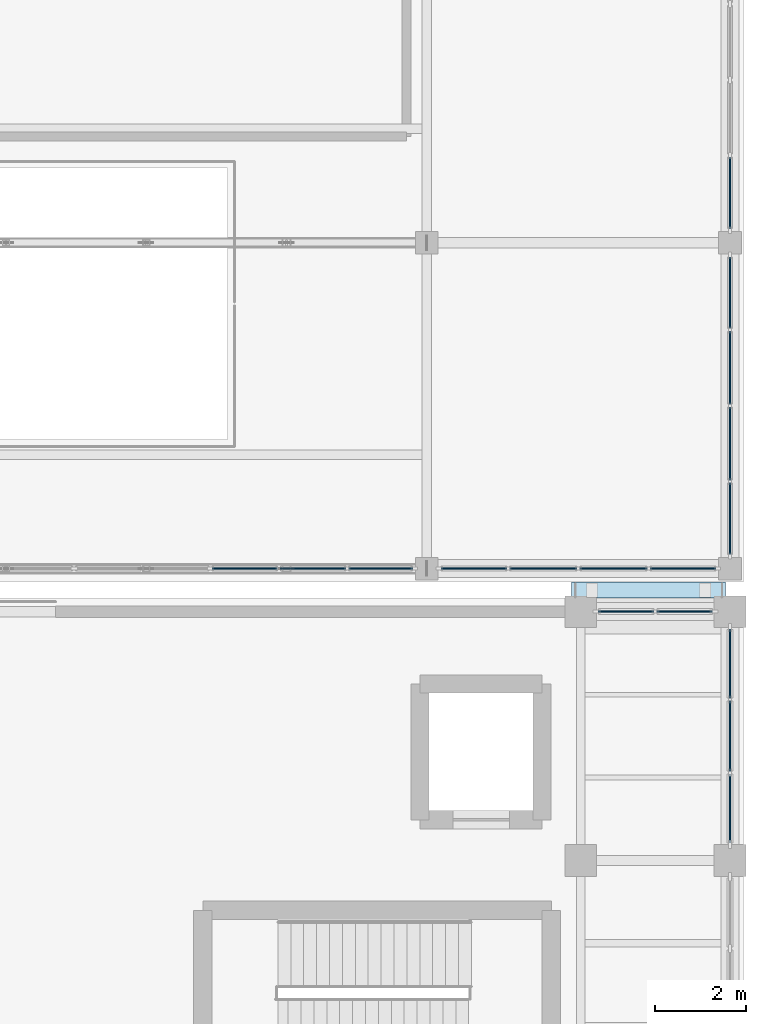
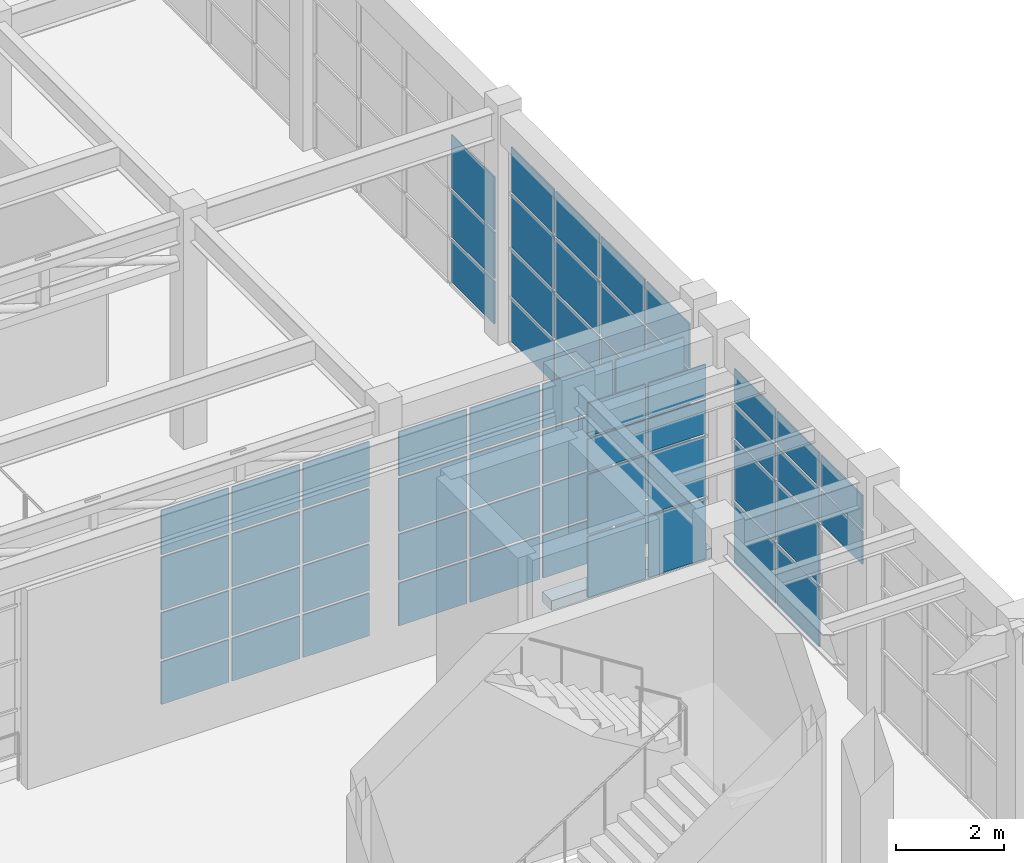
# One storey, part 79 of 103: 65 plates, 1 slab, 6 elements without a shape of their own.
"""IFC4 building model written with IfcOpenShell, lengths in metres."""

from ifc_helpers import new_model, si_unit, direction, frame, origin, origin_2d, place, context, subcontext, project, spatial, polyline, rectangle, outline, extrude, material, layer, layer_set, type_object, element, aggregate, save


model = new_model("IFC4")

# Units and contexts
model_context = context("Model", 3, precision=1e-05, world=origin(), true_north=direction((0.0, 1.0)))
body_context = subcontext(model_context, "Body", "Model", "MODEL_VIEW")
ifc_project = project(units=[si_unit("LENGTHUNIT", "METRE"), si_unit("AREAUNIT", "SQUARE_METRE"), si_unit("VOLUMEUNIT", "CUBIC_METRE"), si_unit("PLANEANGLEUNIT", "RADIAN"), si_unit("MASSUNIT", "GRAM", prefix="KILO")], contexts=[model_context])

# Site, building, storey
site_placement = place(None, origin())
site = spatial("IfcSite", under=ifc_project, at=site_placement, CompositionType="ELEMENT")
building_placement = place(site_placement, origin())
building = spatial("IfcBuilding", under=site, at=building_placement, Name="Candilejo Ridge Gondola Terminal", CompositionType="ELEMENT")
storey_placement = place(building_placement, frame((0.0, 0.0, 9.0)))
storey = spatial("IfcBuildingStorey", under=building, at=storey_placement, Name="L02", CompositionType="ELEMENT", Elevation=9.0)

# Curtain wall, plates
ifc_material_1 = material(Name="Anodised aluminium AA 6063-T6", Category="aluminium")
ifc_layer_1 = layer(ifc_material_1, 0.169921875)
ifc_layer_set_1 = layer_set([ifc_layer_1], Name="ARC-CW-HALL-3800-485X449")
curtain_wall_type_1 = type_object("IfcCurtainWallType", Name="ARC-CW-HALL-3800-485X449", PredefinedType="NOTDEFINED", material=ifc_layer_set_1)
curtain_wall_1_placement = place(storey_placement, origin())
curtain_wall_1 = element("IfcCurtainWall", 1, at=curtain_wall_1_placement, inside=storey, type_object=curtain_wall_type_1, Name="Curtain wall V4 L02-143", PredefinedType="NOTDEFINED")
ifc_material_2 = material(Name="Low-E laminated double glazing 6+12A+6+1.52PVB+6 mm", Category="glass")
ifc_layer_2 = layer(ifc_material_2, 0.028076171875)
ifc_layer_set_2 = layer_set([ifc_layer_2], Name="ARC-CW-GLAZ-PANEL")
plate_type = type_object("IfcPlateType", Name="ARC-CW-GLAZ-PANEL", PredefinedType="CURTAIN_PANEL", material=ifc_layer_set_2)
plate_1_placement = place(storey_placement, frame((175.300048828125, 43.349609375, 2.8798828125), z_axis=(0.0, 0.0, 1.0), x_axis=(0.0, 1.0, 0.0)))
plate_1 = element("IfcPlate", 2, at=plate_1_placement, type_object=plate_type, Name="CW-48X44 panel 1.3", PredefinedType="CURTAIN_PANEL", context=body_context, shape_type="SweptSolid", body=[
    extrude(rectangle(XDim=1.519287109375, YDim=0.028076171875, at=origin_2d()), origin(), (0.0, 0.0, 1.0), 0.739990234375),
])
plate_2_placement = place(storey_placement, frame((175.300048828125, 43.349609375, 3.679931640625), z_axis=(0.0, 0.0, 1.0), x_axis=(0.0, 1.0, 0.0)))
plate_2 = element("IfcPlate", 3, at=plate_2_placement, type_object=plate_type, Name="CW-48X44 panel 1.4", PredefinedType="CURTAIN_PANEL", context=body_context, shape_type="SweptSolid", body=[
    extrude(rectangle(XDim=1.519287109375, YDim=0.028076171875, at=origin_2d()), origin(), (0.0, 0.0, 1.0), 0.75),
])
plate_3_placement = place(storey_placement, frame((175.300048828125, 44.949951171875, 0.06005859375), z_axis=(0.0, 0.0, 1.0), x_axis=(0.0, 1.0, 0.0)))
plate_3 = element("IfcPlate", 4, at=plate_3_placement, type_object=plate_type, Name="CW-48X44 panel 2.1", PredefinedType="CURTAIN_PANEL", context=body_context, shape_type="SweptSolid", body=[
    extrude(rectangle(XDim=1.5517578125, YDim=0.028076171875, at=origin_2d()), origin(), (0.0, 0.0, 1.0), 1.360107421875),
])
plate_4_placement = place(storey_placement, frame((175.300048828125, 44.949951171875, 1.47998046875), z_axis=(0.0, 0.0, 1.0), x_axis=(0.0, 1.0, 0.0)))
plate_4 = element("IfcPlate", 5, at=plate_4_placement, type_object=plate_type, Name="CW-48X44 panel 2.2", PredefinedType="CURTAIN_PANEL", context=body_context, shape_type="SweptSolid", body=[
    extrude(rectangle(XDim=1.5517578125, YDim=0.028076171875, at=origin_2d()), origin(), (0.0, 0.0, 1.0), 1.340087890625),
])
plate_5_placement = place(storey_placement, frame((175.300048828125, 44.949951171875, 2.8798828125), z_axis=(0.0, 0.0, 1.0), x_axis=(0.0, 1.0, 0.0)))
plate_5 = element("IfcPlate", 6, at=plate_5_placement, type_object=plate_type, Name="CW-48X44 panel 2.3", PredefinedType="CURTAIN_PANEL", context=body_context, shape_type="SweptSolid", body=[
    extrude(rectangle(XDim=1.5517578125, YDim=0.028076171875, at=origin_2d()), origin(), (0.0, 0.0, 1.0), 0.739990234375),
])
plate_6_placement = place(storey_placement, frame((175.300048828125, 44.949951171875, 3.679931640625), z_axis=(0.0, 0.0, 1.0), x_axis=(0.0, 1.0, 0.0)))
plate_6 = element("IfcPlate", 7, at=plate_6_placement, type_object=plate_type, Name="CW-48X44 panel 2.4", PredefinedType="CURTAIN_PANEL", context=body_context, shape_type="SweptSolid", body=[
    extrude(rectangle(XDim=1.5517578125, YDim=0.028076171875, at=origin_2d()), origin(), (0.0, 0.0, 1.0), 0.75),
])
plate_7_placement = place(storey_placement, frame((175.300048828125, 46.550537109375, 0.06005859375), z_axis=(0.0, 0.0, 1.0), x_axis=(0.0, 1.0, 0.0)))
plate_7 = element("IfcPlate", 8, at=plate_7_placement, type_object=plate_type, Name="CW-48X44 panel 3.1", PredefinedType="CURTAIN_PANEL", context=body_context, shape_type="SweptSolid", body=[
    extrude(rectangle(XDim=1.519287109375, YDim=0.028076171875, at=origin_2d()), origin(), (0.0, 0.0, 1.0), 1.360107421875),
])
plate_8_placement = place(storey_placement, frame((175.300048828125, 46.550537109375, 1.47998046875), z_axis=(0.0, 0.0, 1.0), x_axis=(0.0, 1.0, 0.0)))
plate_8 = element("IfcPlate", 9, at=plate_8_placement, type_object=plate_type, Name="CW-48X44 panel 3.2", PredefinedType="CURTAIN_PANEL", context=body_context, shape_type="SweptSolid", body=[
    extrude(rectangle(XDim=1.519287109375, YDim=0.028076171875, at=origin_2d()), origin(), (0.0, 0.0, 1.0), 1.340087890625),
])
plate_9_placement = place(storey_placement, frame((175.300048828125, 46.550537109375, 2.8798828125), z_axis=(0.0, 0.0, 1.0), x_axis=(0.0, 1.0, 0.0)))
plate_9 = element("IfcPlate", 10, at=plate_9_placement, type_object=plate_type, Name="CW-48X44 panel 3.3", PredefinedType="CURTAIN_PANEL", context=body_context, shape_type="SweptSolid", body=[
    extrude(rectangle(XDim=1.519287109375, YDim=0.028076171875, at=origin_2d()), origin(), (0.0, 0.0, 1.0), 0.739990234375),
])
plate_10_placement = place(storey_placement, frame((175.300048828125, 46.550537109375, 3.679931640625), z_axis=(0.0, 0.0, 1.0), x_axis=(0.0, 1.0, 0.0)))
plate_10 = element("IfcPlate", 11, at=plate_10_placement, type_object=plate_type, Name="CW-48X44 panel 3.4", PredefinedType="CURTAIN_PANEL", context=body_context, shape_type="SweptSolid", body=[
    extrude(rectangle(XDim=1.519287109375, YDim=0.028076171875, at=origin_2d()), origin(), (0.0, 0.0, 1.0), 0.75),
])
aggregate(curtain_wall_1, [plate_1, plate_2, plate_3, plate_4, plate_5, plate_6, plate_7, plate_8, plate_9, plate_10])

ifc_material_3 = material(Name="Anodised aluminium AA 6063-T6", Category="aluminium")
ifc_layer_3 = layer(ifc_material_3, 0.169921875)
ifc_layer_set_3 = layer_set([ifc_layer_3], Name="ARC-CW-HALL-3800-265X449")
curtain_wall_type_2 = type_object("IfcCurtainWallType", Name="ARC-CW-HALL-3800-265X449", PredefinedType="NOTDEFINED", material=ifc_layer_set_3)
curtain_wall_2_placement = place(storey_placement, origin())
curtain_wall_2 = element("IfcCurtainWall", 12, at=curtain_wall_2_placement, inside=storey, type_object=curtain_wall_type_2, Name="Curtain wall V4 L02-150", PredefinedType="NOTDEFINED")
plate_11_placement = place(storey_placement, frame((173.003662109375, 47.699951171875, 0.06005859375), z_axis=(0.0, 0.0, 1.0), x_axis=(1.0, 0.0, 0.0)))
plate_11 = element("IfcPlate", 13, at=plate_11_placement, type_object=plate_type, Name="CW-26X44 panel 1.1", PredefinedType="CURTAIN_PANEL", context=body_context, shape_type="SweptSolid", body=[
    extrude(rectangle(XDim=1.2275390625, YDim=0.028076171875, at=origin_2d()), origin(), (0.0, 0.0, 1.0), 1.360107421875),
])
plate_12_placement = place(storey_placement, frame((173.003662109375, 47.699951171875, 1.47998046875), z_axis=(0.0, 0.0, 1.0), x_axis=(1.0, 0.0, 0.0)))
plate_12 = element("IfcPlate", 14, at=plate_12_placement, type_object=plate_type, Name="CW-26X44 panel 1.2", PredefinedType="CURTAIN_PANEL", context=body_context, shape_type="SweptSolid", body=[
    extrude(rectangle(XDim=1.2275390625, YDim=0.028076171875, at=origin_2d()), origin(), (0.0, 0.0, 1.0), 1.340087890625),
])
plate_13_placement = place(storey_placement, frame((173.003662109375, 47.699951171875, 2.8798828125), z_axis=(0.0, 0.0, 1.0), x_axis=(1.0, 0.0, 0.0)))
plate_13 = element("IfcPlate", 15, at=plate_13_placement, type_object=plate_type, Name="CW-26X44 panel 1.3", PredefinedType="CURTAIN_PANEL", context=body_context, shape_type="SweptSolid", body=[
    extrude(rectangle(XDim=1.2275390625, YDim=0.028076171875, at=origin_2d()), origin(), (0.0, 0.0, 1.0), 0.739990234375),
])
plate_14_placement = place(storey_placement, frame((173.003662109375, 47.699951171875, 3.679931640625), z_axis=(0.0, 0.0, 1.0), x_axis=(1.0, 0.0, 0.0)))
plate_14 = element("IfcPlate", 16, at=plate_14_placement, type_object=plate_type, Name="CW-26X44 panel 1.4", PredefinedType="CURTAIN_PANEL", context=body_context, shape_type="SweptSolid", body=[
    extrude(rectangle(XDim=1.2275390625, YDim=0.028076171875, at=origin_2d()), origin(), (0.0, 0.0, 1.0), 0.75),
])
plate_15_placement = place(storey_placement, frame((174.296142578125, 47.699951171875, 0.06005859375), z_axis=(0.0, 0.0, 1.0), x_axis=(1.0, 0.0, 0.0)))
plate_15 = element("IfcPlate", 17, at=plate_15_placement, type_object=plate_type, Name="CW-26X44 panel 2.1", PredefinedType="CURTAIN_PANEL", context=body_context, shape_type="SweptSolid", body=[
    extrude(rectangle(XDim=1.2275390625, YDim=0.028076171875, at=origin_2d()), origin(), (0.0, 0.0, 1.0), 1.360107421875),
])
plate_16_placement = place(storey_placement, frame((174.296142578125, 47.699951171875, 1.47998046875), z_axis=(0.0, 0.0, 1.0), x_axis=(1.0, 0.0, 0.0)))
plate_16 = element("IfcPlate", 18, at=plate_16_placement, type_object=plate_type, Name="CW-26X44 panel 2.2", PredefinedType="CURTAIN_PANEL", context=body_context, shape_type="SweptSolid", body=[
    extrude(rectangle(XDim=1.2275390625, YDim=0.028076171875, at=origin_2d()), origin(), (0.0, 0.0, 1.0), 1.340087890625),
])
plate_17_placement = place(storey_placement, frame((174.296142578125, 47.699951171875, 2.8798828125), z_axis=(0.0, 0.0, 1.0), x_axis=(1.0, 0.0, 0.0)))
plate_17 = element("IfcPlate", 19, at=plate_17_placement, type_object=plate_type, Name="CW-26X44 panel 2.3", PredefinedType="CURTAIN_PANEL", context=body_context, shape_type="SweptSolid", body=[
    extrude(rectangle(XDim=1.2275390625, YDim=0.028076171875, at=origin_2d()), origin(), (0.0, 0.0, 1.0), 0.739990234375),
])
plate_18_placement = place(storey_placement, frame((174.296142578125, 47.699951171875, 3.679931640625), z_axis=(0.0, 0.0, 1.0), x_axis=(1.0, 0.0, 0.0)))
plate_18 = element("IfcPlate", 20, at=plate_18_placement, type_object=plate_type, Name="CW-26X44 panel 2.4", PredefinedType="CURTAIN_PANEL", context=body_context, shape_type="SweptSolid", body=[
    extrude(rectangle(XDim=1.2275390625, YDim=0.028076171875, at=origin_2d()), origin(), (0.0, 0.0, 1.0), 0.75),
])
aggregate(curtain_wall_2, [plate_11, plate_12, plate_13, plate_14, plate_15, plate_16, plate_17, plate_18])

ifc_material_4 = material(Name="Anodised aluminium AA 6063-T6", Category="aluminium")
ifc_layer_4 = layer(ifc_material_4, 0.169921875)
ifc_layer_set_4 = layer_set([ifc_layer_4], Name="ARC-CW-TOWER-3000-670X449")
curtain_wall_type_3 = type_object("IfcCurtainWallType", Name="ARC-CW-TOWER-3000-670X449", PredefinedType="NOTDEFINED", material=ifc_layer_set_4)
curtain_wall_3_placement = place(storey_placement, origin())
curtain_wall_3 = element("IfcCurtainWall", 21, at=curtain_wall_3_placement, inside=storey, type_object=curtain_wall_type_3, Name="Curtain wall V5 L02-175", PredefinedType="NOTDEFINED")
plate_19_placement = place(storey_placement, frame((175.300048828125, 49.753662109375, 0.06005859375), z_axis=(0.0, 0.0, 1.0), x_axis=(0.0, 1.0, 0.0)))
plate_19 = element("IfcPlate", 22, at=plate_19_placement, type_object=plate_type, Name="CW-67X44 panel 1.1", PredefinedType="CURTAIN_PANEL", context=body_context, shape_type="SweptSolid", body=[
    extrude(rectangle(XDim=1.577392578125, YDim=0.028076171875, at=origin_2d()), origin(), (0.0, 0.0, 1.0), 0.9599609375),
])
plate_20_placement = place(storey_placement, frame((175.300048828125, 49.753662109375, 1.080078125), z_axis=(0.0, 0.0, 1.0), x_axis=(0.0, 1.0, 0.0)))
plate_20 = element("IfcPlate", 23, at=plate_20_placement, type_object=plate_type, Name="CW-67X44 panel 1.2", PredefinedType="CURTAIN_PANEL", context=body_context, shape_type="SweptSolid", body=[
    extrude(rectangle(XDim=1.577392578125, YDim=0.028076171875, at=origin_2d()), origin(), (0.0, 0.0, 1.0), 1.0400390625),
])
plate_21_placement = place(storey_placement, frame((175.300048828125, 49.753662109375, 2.179931640625), z_axis=(0.0, 0.0, 1.0), x_axis=(0.0, 1.0, 0.0)))
plate_21 = element("IfcPlate", 24, at=plate_21_placement, type_object=plate_type, Name="CW-67X44 panel 1.3", PredefinedType="CURTAIN_PANEL", context=body_context, shape_type="SweptSolid", body=[
    extrude(rectangle(XDim=1.577392578125, YDim=0.028076171875, at=origin_2d()), origin(), (0.0, 0.0, 1.0), 1.18994140625),
])
plate_22_placement = place(storey_placement, frame((175.300048828125, 49.753662109375, 3.429931640625), z_axis=(0.0, 0.0, 1.0), x_axis=(0.0, 1.0, 0.0)))
plate_22 = element("IfcPlate", 25, at=plate_22_placement, type_object=plate_type, Name="CW-67X44 panel 1.4", PredefinedType="CURTAIN_PANEL", context=body_context, shape_type="SweptSolid", body=[
    extrude(rectangle(XDim=1.577392578125, YDim=0.028076171875, at=origin_2d()), origin(), (0.0, 0.0, 1.0), 1.0),
])
plate_23_placement = place(storey_placement, frame((175.300048828125, 51.41259765625, 0.06005859375), z_axis=(0.0, 0.0, 1.0), x_axis=(0.0, 1.0, 0.0)))
plate_23 = element("IfcPlate", 26, at=plate_23_placement, type_object=plate_type, Name="CW-67X44 panel 2.1", PredefinedType="CURTAIN_PANEL", context=body_context, shape_type="SweptSolid", body=[
    extrude(rectangle(XDim=1.610107421875, YDim=0.028076171875, at=origin_2d()), origin(), (0.0, 0.0, 1.0), 0.9599609375),
])
plate_24_placement = place(storey_placement, frame((175.300048828125, 51.41259765625, 1.080078125), z_axis=(0.0, 0.0, 1.0), x_axis=(0.0, 1.0, 0.0)))
plate_24 = element("IfcPlate", 27, at=plate_24_placement, type_object=plate_type, Name="CW-67X44 panel 2.2", PredefinedType="CURTAIN_PANEL", context=body_context, shape_type="SweptSolid", body=[
    extrude(rectangle(XDim=1.610107421875, YDim=0.028076171875, at=origin_2d()), origin(), (0.0, 0.0, 1.0), 1.0400390625),
])
plate_25_placement = place(storey_placement, frame((175.300048828125, 51.41259765625, 2.179931640625), z_axis=(0.0, 0.0, 1.0), x_axis=(0.0, 1.0, 0.0)))
plate_25 = element("IfcPlate", 28, at=plate_25_placement, type_object=plate_type, Name="CW-67X44 panel 2.3", PredefinedType="CURTAIN_PANEL", context=body_context, shape_type="SweptSolid", body=[
    extrude(rectangle(XDim=1.610107421875, YDim=0.028076171875, at=origin_2d()), origin(), (0.0, 0.0, 1.0), 1.18994140625),
])
plate_26_placement = place(storey_placement, frame((175.300048828125, 51.41259765625, 3.429931640625), z_axis=(0.0, 0.0, 1.0), x_axis=(0.0, 1.0, 0.0)))
plate_26 = element("IfcPlate", 29, at=plate_26_placement, type_object=plate_type, Name="CW-67X44 panel 2.4", PredefinedType="CURTAIN_PANEL", context=body_context, shape_type="SweptSolid", body=[
    extrude(rectangle(XDim=1.610107421875, YDim=0.028076171875, at=origin_2d()), origin(), (0.0, 0.0, 1.0), 1.0),
])
plate_27_placement = place(storey_placement, frame((175.300048828125, 53.08740234375, 0.06005859375), z_axis=(0.0, 0.0, 1.0), x_axis=(0.0, 1.0, 0.0)))
plate_27 = element("IfcPlate", 30, at=plate_27_placement, type_object=plate_type, Name="CW-67X44 panel 3.1", PredefinedType="CURTAIN_PANEL", context=body_context, shape_type="SweptSolid", body=[
    extrude(rectangle(XDim=1.610107421875, YDim=0.028076171875, at=origin_2d()), origin(), (0.0, 0.0, 1.0), 0.9599609375),
])
plate_28_placement = place(storey_placement, frame((175.300048828125, 53.08740234375, 1.080078125), z_axis=(0.0, 0.0, 1.0), x_axis=(0.0, 1.0, 0.0)))
plate_28 = element("IfcPlate", 31, at=plate_28_placement, type_object=plate_type, Name="CW-67X44 panel 3.2", PredefinedType="CURTAIN_PANEL", context=body_context, shape_type="SweptSolid", body=[
    extrude(rectangle(XDim=1.610107421875, YDim=0.028076171875, at=origin_2d()), origin(), (0.0, 0.0, 1.0), 1.0400390625),
])
plate_29_placement = place(storey_placement, frame((175.300048828125, 53.08740234375, 2.179931640625), z_axis=(0.0, 0.0, 1.0), x_axis=(0.0, 1.0, 0.0)))
plate_29 = element("IfcPlate", 32, at=plate_29_placement, type_object=plate_type, Name="CW-67X44 panel 3.3", PredefinedType="CURTAIN_PANEL", context=body_context, shape_type="SweptSolid", body=[
    extrude(rectangle(XDim=1.610107421875, YDim=0.028076171875, at=origin_2d()), origin(), (0.0, 0.0, 1.0), 1.18994140625),
])
plate_30_placement = place(storey_placement, frame((175.300048828125, 53.08740234375, 3.429931640625), z_axis=(0.0, 0.0, 1.0), x_axis=(0.0, 1.0, 0.0)))
plate_30 = element("IfcPlate", 33, at=plate_30_placement, type_object=plate_type, Name="CW-67X44 panel 3.4", PredefinedType="CURTAIN_PANEL", context=body_context, shape_type="SweptSolid", body=[
    extrude(rectangle(XDim=1.610107421875, YDim=0.028076171875, at=origin_2d()), origin(), (0.0, 0.0, 1.0), 1.0),
])
plate_31_placement = place(storey_placement, frame((175.300048828125, 54.746337890625, 0.06005859375), z_axis=(0.0, 0.0, 1.0), x_axis=(0.0, 1.0, 0.0)))
plate_31 = element("IfcPlate", 34, at=plate_31_placement, type_object=plate_type, Name="CW-67X44 panel 4.1", PredefinedType="CURTAIN_PANEL", context=body_context, shape_type="SweptSolid", body=[
    extrude(rectangle(XDim=1.577392578125, YDim=0.028076171875, at=origin_2d()), origin(), (0.0, 0.0, 1.0), 0.9599609375),
])
plate_32_placement = place(storey_placement, frame((175.300048828125, 54.746337890625, 1.080078125), z_axis=(0.0, 0.0, 1.0), x_axis=(0.0, 1.0, 0.0)))
plate_32 = element("IfcPlate", 35, at=plate_32_placement, type_object=plate_type, Name="CW-67X44 panel 4.2", PredefinedType="CURTAIN_PANEL", context=body_context, shape_type="SweptSolid", body=[
    extrude(rectangle(XDim=1.577392578125, YDim=0.028076171875, at=origin_2d()), origin(), (0.0, 0.0, 1.0), 1.0400390625),
])
plate_33_placement = place(storey_placement, frame((175.300048828125, 54.746337890625, 2.179931640625), z_axis=(0.0, 0.0, 1.0), x_axis=(0.0, 1.0, 0.0)))
plate_33 = element("IfcPlate", 36, at=plate_33_placement, type_object=plate_type, Name="CW-67X44 panel 4.3", PredefinedType="CURTAIN_PANEL", context=body_context, shape_type="SweptSolid", body=[
    extrude(rectangle(XDim=1.577392578125, YDim=0.028076171875, at=origin_2d()), origin(), (0.0, 0.0, 1.0), 1.18994140625),
])
plate_34_placement = place(storey_placement, frame((175.300048828125, 54.746337890625, 3.429931640625), z_axis=(0.0, 0.0, 1.0), x_axis=(0.0, 1.0, 0.0)))
plate_34 = element("IfcPlate", 37, at=plate_34_placement, type_object=plate_type, Name="CW-67X44 panel 4.4", PredefinedType="CURTAIN_PANEL", context=body_context, shape_type="SweptSolid", body=[
    extrude(rectangle(XDim=1.577392578125, YDim=0.028076171875, at=origin_2d()), origin(), (0.0, 0.0, 1.0), 1.0),
])
aggregate(curtain_wall_3, [plate_19, plate_20, plate_21, plate_22, plate_23, plate_24, plate_25, plate_26, plate_27, plate_28, plate_29, plate_30, plate_31, plate_32, plate_33, plate_34])

curtain_wall_4_placement = place(storey_placement, origin())
curtain_wall_4 = element("IfcCurtainWall", 38, at=curtain_wall_4_placement, inside=storey, type_object=curtain_wall_type_3, Name="Curtain wall V5 L02-177", PredefinedType="NOTDEFINED")
plate_35_placement = place(storey_placement, frame((175.300048828125, 56.953857421875, 0.06005859375), z_axis=(0.0, 0.0, 1.0), x_axis=(0.0, 1.0, 0.0)))
plate_35 = element("IfcPlate", 39, at=plate_35_placement, type_object=plate_type, Name="CW-67X44 panel 1.1", PredefinedType="CURTAIN_PANEL", context=body_context, shape_type="SweptSolid", body=[
    extrude(rectangle(XDim=1.577392578125, YDim=0.028076171875, at=origin_2d()), origin(), (0.0, 0.0, 1.0), 0.9599609375),
])
plate_36_placement = place(storey_placement, frame((175.300048828125, 56.953857421875, 1.080078125), z_axis=(0.0, 0.0, 1.0), x_axis=(0.0, 1.0, 0.0)))
plate_36 = element("IfcPlate", 40, at=plate_36_placement, type_object=plate_type, Name="CW-67X44 panel 1.2", PredefinedType="CURTAIN_PANEL", context=body_context, shape_type="SweptSolid", body=[
    extrude(rectangle(XDim=1.577392578125, YDim=0.028076171875, at=origin_2d()), origin(), (0.0, 0.0, 1.0), 1.0400390625),
])
plate_37_placement = place(storey_placement, frame((175.300048828125, 56.953857421875, 2.179931640625), z_axis=(0.0, 0.0, 1.0), x_axis=(0.0, 1.0, 0.0)))
plate_37 = element("IfcPlate", 41, at=plate_37_placement, type_object=plate_type, Name="CW-67X44 panel 1.3", PredefinedType="CURTAIN_PANEL", context=body_context, shape_type="SweptSolid", body=[
    extrude(rectangle(XDim=1.577392578125, YDim=0.028076171875, at=origin_2d()), origin(), (0.0, 0.0, 1.0), 1.18994140625),
])
aggregate(curtain_wall_4, [plate_35, plate_36, plate_37])

ifc_material_5 = material(Name="Anodised aluminium AA 6063-T6", Category="aluminium")
ifc_layer_5 = layer(ifc_material_5, 0.169921875)
ifc_layer_set_5 = layer_set([ifc_layer_5], Name="ARC-CW-TOWER-3000-1810X449")
curtain_wall_type_4 = type_object("IfcCurtainWallType", Name="ARC-CW-TOWER-3000-1810X449", PredefinedType="NOTDEFINED", material=ifc_layer_set_5)
curtain_wall_5_placement = place(storey_placement, origin())
curtain_wall_5 = element("IfcCurtainWall", 42, at=curtain_wall_5_placement, inside=storey, type_object=curtain_wall_type_4, Name="Curtain wall V5 L02-192", PredefinedType="NOTDEFINED")
plate_38_placement = place(storey_placement, frame((164.5791015625, 48.64990234375, 0.06005859375), z_axis=(0.0, 0.0, 1.0), x_axis=(1.0, 0.0, 0.0)))
plate_38 = element("IfcPlate", 43, at=plate_38_placement, type_object=plate_type, Name="CW-181X44 panel 10.1", PredefinedType="CURTAIN_PANEL", context=body_context, shape_type="SweptSolid", body=[
    extrude(rectangle(XDim=1.443359375, YDim=0.028076171875, at=origin_2d()), origin(), (0.0, 0.0, 1.0), 0.9599609375),
])
plate_39_placement = place(storey_placement, frame((164.5791015625, 48.64990234375, 1.080078125), z_axis=(0.0, 0.0, 1.0), x_axis=(1.0, 0.0, 0.0)))
plate_39 = element("IfcPlate", 44, at=plate_39_placement, type_object=plate_type, Name="CW-181X44 panel 10.2", PredefinedType="CURTAIN_PANEL", context=body_context, shape_type="SweptSolid", body=[
    extrude(rectangle(XDim=1.443359375, YDim=0.028076171875, at=origin_2d()), origin(), (0.0, 0.0, 1.0), 1.0400390625),
])
plate_40_placement = place(storey_placement, frame((164.5791015625, 48.64990234375, 2.179931640625), z_axis=(0.0, 0.0, 1.0), x_axis=(1.0, 0.0, 0.0)))
plate_40 = element("IfcPlate", 45, at=plate_40_placement, type_object=plate_type, Name="CW-181X44 panel 10.3", PredefinedType="CURTAIN_PANEL", context=body_context, shape_type="SweptSolid", body=[
    extrude(rectangle(XDim=1.443359375, YDim=0.028076171875, at=origin_2d()), origin(), (0.0, 0.0, 1.0), 1.18994140625),
])
plate_41_placement = place(storey_placement, frame((164.5791015625, 48.64990234375, 3.429931640625), z_axis=(0.0, 0.0, 1.0), x_axis=(1.0, 0.0, 0.0)))
plate_41 = element("IfcPlate", 46, at=plate_41_placement, type_object=plate_type, Name="CW-181X44 panel 10.4", PredefinedType="CURTAIN_PANEL", context=body_context, shape_type="SweptSolid", body=[
    extrude(rectangle(XDim=1.443359375, YDim=0.028076171875, at=origin_2d()), origin(), (0.0, 0.0, 1.0), 1.0),
])
plate_42_placement = place(storey_placement, frame((166.08740234375, 48.64990234375, 0.06005859375), z_axis=(0.0, 0.0, 1.0), x_axis=(1.0, 0.0, 0.0)))
plate_42 = element("IfcPlate", 47, at=plate_42_placement, type_object=plate_type, Name="CW-181X44 panel 11.1", PredefinedType="CURTAIN_PANEL", context=body_context, shape_type="SweptSolid", body=[
    extrude(rectangle(XDim=1.443359375, YDim=0.028076171875, at=origin_2d()), origin(), (0.0, 0.0, 1.0), 0.9599609375),
])
plate_43_placement = place(storey_placement, frame((166.08740234375, 48.64990234375, 1.080078125), z_axis=(0.0, 0.0, 1.0), x_axis=(1.0, 0.0, 0.0)))
plate_43 = element("IfcPlate", 48, at=plate_43_placement, type_object=plate_type, Name="CW-181X44 panel 11.2", PredefinedType="CURTAIN_PANEL", context=body_context, shape_type="SweptSolid", body=[
    extrude(rectangle(XDim=1.443359375, YDim=0.028076171875, at=origin_2d()), origin(), (0.0, 0.0, 1.0), 1.0400390625),
])
plate_44_placement = place(storey_placement, frame((166.08740234375, 48.64990234375, 2.179931640625), z_axis=(0.0, 0.0, 1.0), x_axis=(1.0, 0.0, 0.0)))
plate_44 = element("IfcPlate", 49, at=plate_44_placement, type_object=plate_type, Name="CW-181X44 panel 11.3", PredefinedType="CURTAIN_PANEL", context=body_context, shape_type="SweptSolid", body=[
    extrude(rectangle(XDim=1.443359375, YDim=0.028076171875, at=origin_2d()), origin(), (0.0, 0.0, 1.0), 1.18994140625),
])
plate_45_placement = place(storey_placement, frame((166.08740234375, 48.64990234375, 3.429931640625), z_axis=(0.0, 0.0, 1.0), x_axis=(1.0, 0.0, 0.0)))
plate_45 = element("IfcPlate", 50, at=plate_45_placement, type_object=plate_type, Name="CW-181X44 panel 11.4", PredefinedType="CURTAIN_PANEL", context=body_context, shape_type="SweptSolid", body=[
    extrude(rectangle(XDim=1.443359375, YDim=0.028076171875, at=origin_2d()), origin(), (0.0, 0.0, 1.0), 1.0),
])
plate_46_placement = place(storey_placement, frame((167.57958984375, 48.64990234375, 0.06005859375), z_axis=(0.0, 0.0, 1.0), x_axis=(1.0, 0.0, 0.0)))
plate_46 = element("IfcPlate", 51, at=plate_46_placement, type_object=plate_type, Name="CW-181X44 panel 12.1", PredefinedType="CURTAIN_PANEL", context=body_context, shape_type="SweptSolid", body=[
    extrude(rectangle(XDim=1.410888671875, YDim=0.028076171875, at=origin_2d()), origin(), (0.0, 0.0, 1.0), 0.9599609375),
])
plate_47_placement = place(storey_placement, frame((167.57958984375, 48.64990234375, 1.080078125), z_axis=(0.0, 0.0, 1.0), x_axis=(1.0, 0.0, 0.0)))
plate_47 = element("IfcPlate", 52, at=plate_47_placement, type_object=plate_type, Name="CW-181X44 panel 12.2", PredefinedType="CURTAIN_PANEL", context=body_context, shape_type="SweptSolid", body=[
    extrude(rectangle(XDim=1.410888671875, YDim=0.028076171875, at=origin_2d()), origin(), (0.0, 0.0, 1.0), 1.0400390625),
])
plate_48_placement = place(storey_placement, frame((167.57958984375, 48.64990234375, 2.179931640625), z_axis=(0.0, 0.0, 1.0), x_axis=(1.0, 0.0, 0.0)))
plate_48 = element("IfcPlate", 53, at=plate_48_placement, type_object=plate_type, Name="CW-181X44 panel 12.3", PredefinedType="CURTAIN_PANEL", context=body_context, shape_type="SweptSolid", body=[
    extrude(rectangle(XDim=1.410888671875, YDim=0.028076171875, at=origin_2d()), origin(), (0.0, 0.0, 1.0), 1.18994140625),
])
plate_49_placement = place(storey_placement, frame((167.57958984375, 48.64990234375, 3.429931640625), z_axis=(0.0, 0.0, 1.0), x_axis=(1.0, 0.0, 0.0)))
plate_49 = element("IfcPlate", 54, at=plate_49_placement, type_object=plate_type, Name="CW-181X44 panel 12.4", PredefinedType="CURTAIN_PANEL", context=body_context, shape_type="SweptSolid", body=[
    extrude(rectangle(XDim=1.410888671875, YDim=0.028076171875, at=origin_2d()), origin(), (0.0, 0.0, 1.0), 1.0),
])
aggregate(curtain_wall_5, [plate_38, plate_39, plate_40, plate_41, plate_42, plate_43, plate_44, plate_45, plate_46, plate_47, plate_48, plate_49])

ifc_material_6 = material(Name="Anodised aluminium AA 6063-T6", Category="aluminium")
ifc_layer_6 = layer(ifc_material_6, 0.169921875)
ifc_layer_set_6 = layer_set([ifc_layer_6], Name="ARC-CW-TOWER-3000-620X449")
curtain_wall_type_5 = type_object("IfcCurtainWallType", Name="ARC-CW-TOWER-3000-620X449", PredefinedType="NOTDEFINED", material=ifc_layer_set_6)
curtain_wall_6_placement = place(storey_placement, origin())
curtain_wall_6 = element("IfcCurtainWall", 55, at=curtain_wall_6_placement, inside=storey, type_object=curtain_wall_type_5, Name="Curtain wall V5 L02-194", PredefinedType="NOTDEFINED")
plate_50_placement = place(storey_placement, frame((169.641357421875, 48.64990234375, 0.06005859375), z_axis=(0.0, 0.0, 1.0), x_axis=(1.0, 0.0, 0.0)))
plate_50 = element("IfcPlate", 56, at=plate_50_placement, type_object=plate_type, Name="CW-62X44 panel 1.1", PredefinedType="CURTAIN_PANEL", context=body_context, shape_type="SweptSolid", body=[
    extrude(rectangle(XDim=1.452392578125, YDim=0.028076171875, at=origin_2d()), origin(), (0.0, 0.0, 1.0), 0.9599609375),
])
plate_51_placement = place(storey_placement, frame((169.641357421875, 48.64990234375, 1.080078125), z_axis=(0.0, 0.0, 1.0), x_axis=(1.0, 0.0, 0.0)))
plate_51 = element("IfcPlate", 57, at=plate_51_placement, type_object=plate_type, Name="CW-62X44 panel 1.2", PredefinedType="CURTAIN_PANEL", context=body_context, shape_type="SweptSolid", body=[
    extrude(rectangle(XDim=1.452392578125, YDim=0.028076171875, at=origin_2d()), origin(), (0.0, 0.0, 1.0), 1.0400390625),
])
plate_52_placement = place(storey_placement, frame((169.641357421875, 48.64990234375, 2.179931640625), z_axis=(0.0, 0.0, 1.0), x_axis=(1.0, 0.0, 0.0)))
plate_52 = element("IfcPlate", 58, at=plate_52_placement, type_object=plate_type, Name="CW-62X44 panel 1.3", PredefinedType="CURTAIN_PANEL", context=body_context, shape_type="SweptSolid", body=[
    extrude(rectangle(XDim=1.452392578125, YDim=0.028076171875, at=origin_2d()), origin(), (0.0, 0.0, 1.0), 1.18994140625),
])
plate_53_placement = place(storey_placement, frame((169.641357421875, 48.64990234375, 3.429931640625), z_axis=(0.0, 0.0, 1.0), x_axis=(1.0, 0.0, 0.0)))
plate_53 = element("IfcPlate", 59, at=plate_53_placement, type_object=plate_type, Name="CW-62X44 panel 1.4", PredefinedType="CURTAIN_PANEL", context=body_context, shape_type="SweptSolid", body=[
    extrude(rectangle(XDim=1.452392578125, YDim=0.028076171875, at=origin_2d()), origin(), (0.0, 0.0, 1.0), 1.0),
])
plate_54_placement = place(storey_placement, frame((171.175048828125, 48.64990234375, 0.06005859375), z_axis=(0.0, 0.0, 1.0), x_axis=(1.0, 0.0, 0.0)))
plate_54 = element("IfcPlate", 60, at=plate_54_placement, type_object=plate_type, Name="CW-62X44 panel 2.1", PredefinedType="CURTAIN_PANEL", context=body_context, shape_type="SweptSolid", body=[
    extrude(rectangle(XDim=1.485107421875, YDim=0.028076171875, at=origin_2d()), origin(), (0.0, 0.0, 1.0), 0.9599609375),
])
plate_55_placement = place(storey_placement, frame((171.175048828125, 48.64990234375, 1.080078125), z_axis=(0.0, 0.0, 1.0), x_axis=(1.0, 0.0, 0.0)))
plate_55 = element("IfcPlate", 61, at=plate_55_placement, type_object=plate_type, Name="CW-62X44 panel 2.2", PredefinedType="CURTAIN_PANEL", context=body_context, shape_type="SweptSolid", body=[
    extrude(rectangle(XDim=1.485107421875, YDim=0.028076171875, at=origin_2d()), origin(), (0.0, 0.0, 1.0), 1.0400390625),
])
plate_56_placement = place(storey_placement, frame((171.175048828125, 48.64990234375, 2.179931640625), z_axis=(0.0, 0.0, 1.0), x_axis=(1.0, 0.0, 0.0)))
plate_56 = element("IfcPlate", 62, at=plate_56_placement, type_object=plate_type, Name="CW-62X44 panel 2.3", PredefinedType="CURTAIN_PANEL", context=body_context, shape_type="SweptSolid", body=[
    extrude(rectangle(XDim=1.485107421875, YDim=0.028076171875, at=origin_2d()), origin(), (0.0, 0.0, 1.0), 1.18994140625),
])
plate_57_placement = place(storey_placement, frame((171.175048828125, 48.64990234375, 3.429931640625), z_axis=(0.0, 0.0, 1.0), x_axis=(1.0, 0.0, 0.0)))
plate_57 = element("IfcPlate", 63, at=plate_57_placement, type_object=plate_type, Name="CW-62X44 panel 2.4", PredefinedType="CURTAIN_PANEL", context=body_context, shape_type="SweptSolid", body=[
    extrude(rectangle(XDim=1.485107421875, YDim=0.028076171875, at=origin_2d()), origin(), (0.0, 0.0, 1.0), 1.0),
])
plate_58_placement = place(storey_placement, frame((172.72509765625, 48.64990234375, 0.06005859375), z_axis=(0.0, 0.0, 1.0), x_axis=(1.0, 0.0, 0.0)))
plate_58 = element("IfcPlate", 64, at=plate_58_placement, type_object=plate_type, Name="CW-62X44 panel 3.1", PredefinedType="CURTAIN_PANEL", context=body_context, shape_type="SweptSolid", body=[
    extrude(rectangle(XDim=1.485107421875, YDim=0.028076171875, at=origin_2d()), origin(), (0.0, 0.0, 1.0), 0.9599609375),
])
plate_59_placement = place(storey_placement, frame((172.72509765625, 48.64990234375, 1.080078125), z_axis=(0.0, 0.0, 1.0), x_axis=(1.0, 0.0, 0.0)))
plate_59 = element("IfcPlate", 65, at=plate_59_placement, type_object=plate_type, Name="CW-62X44 panel 3.2", PredefinedType="CURTAIN_PANEL", context=body_context, shape_type="SweptSolid", body=[
    extrude(rectangle(XDim=1.485107421875, YDim=0.028076171875, at=origin_2d()), origin(), (0.0, 0.0, 1.0), 1.0400390625),
])
plate_60_placement = place(storey_placement, frame((172.72509765625, 48.64990234375, 2.179931640625), z_axis=(0.0, 0.0, 1.0), x_axis=(1.0, 0.0, 0.0)))
plate_60 = element("IfcPlate", 66, at=plate_60_placement, type_object=plate_type, Name="CW-62X44 panel 3.3", PredefinedType="CURTAIN_PANEL", context=body_context, shape_type="SweptSolid", body=[
    extrude(rectangle(XDim=1.485107421875, YDim=0.028076171875, at=origin_2d()), origin(), (0.0, 0.0, 1.0), 1.18994140625),
])
plate_61_placement = place(storey_placement, frame((172.72509765625, 48.64990234375, 3.429931640625), z_axis=(0.0, 0.0, 1.0), x_axis=(1.0, 0.0, 0.0)))
plate_61 = element("IfcPlate", 67, at=plate_61_placement, type_object=plate_type, Name="CW-62X44 panel 3.4", PredefinedType="CURTAIN_PANEL", context=body_context, shape_type="SweptSolid", body=[
    extrude(rectangle(XDim=1.485107421875, YDim=0.028076171875, at=origin_2d()), origin(), (0.0, 0.0, 1.0), 1.0),
])
plate_62_placement = place(storey_placement, frame((174.2587890625, 48.64990234375, 0.06005859375), z_axis=(0.0, 0.0, 1.0), x_axis=(1.0, 0.0, 0.0)))
plate_62 = element("IfcPlate", 68, at=plate_62_placement, type_object=plate_type, Name="CW-62X44 panel 4.1", PredefinedType="CURTAIN_PANEL", context=body_context, shape_type="SweptSolid", body=[
    extrude(rectangle(XDim=1.452392578125, YDim=0.028076171875, at=origin_2d()), origin(), (0.0, 0.0, 1.0), 0.9599609375),
])
plate_63_placement = place(storey_placement, frame((174.2587890625, 48.64990234375, 1.080078125), z_axis=(0.0, 0.0, 1.0), x_axis=(1.0, 0.0, 0.0)))
plate_63 = element("IfcPlate", 69, at=plate_63_placement, type_object=plate_type, Name="CW-62X44 panel 4.2", PredefinedType="CURTAIN_PANEL", context=body_context, shape_type="SweptSolid", body=[
    extrude(rectangle(XDim=1.452392578125, YDim=0.028076171875, at=origin_2d()), origin(), (0.0, 0.0, 1.0), 1.0400390625),
])
plate_64_placement = place(storey_placement, frame((174.2587890625, 48.64990234375, 2.179931640625), z_axis=(0.0, 0.0, 1.0), x_axis=(1.0, 0.0, 0.0)))
plate_64 = element("IfcPlate", 70, at=plate_64_placement, type_object=plate_type, Name="CW-62X44 panel 4.3", PredefinedType="CURTAIN_PANEL", context=body_context, shape_type="SweptSolid", body=[
    extrude(rectangle(XDim=1.452392578125, YDim=0.028076171875, at=origin_2d()), origin(), (0.0, 0.0, 1.0), 1.18994140625),
])
plate_65_placement = place(storey_placement, frame((174.2587890625, 48.64990234375, 3.429931640625), z_axis=(0.0, 0.0, 1.0), x_axis=(1.0, 0.0, 0.0)))
plate_65 = element("IfcPlate", 71, at=plate_65_placement, type_object=plate_type, Name="CW-62X44 panel 4.4", PredefinedType="CURTAIN_PANEL", context=body_context, shape_type="SweptSolid", body=[
    extrude(rectangle(XDim=1.452392578125, YDim=0.028076171875, at=origin_2d()), origin(), (0.0, 0.0, 1.0), 1.0),
])
aggregate(curtain_wall_6, [plate_50, plate_51, plate_52, plate_53, plate_54, plate_55, plate_56, plate_57, plate_58, plate_59, plate_60, plate_61, plate_62, plate_63, plate_64, plate_65])

# Slab
ifc_material_7 = material(Name="Concrete f'c 35 MPa (C35/45)", Category="concrete")
ifc_layer_7 = layer(ifc_material_7, 0.219970703125)
ifc_layer_set_7 = layer_set([ifc_layer_7], Name="STR-BRIDGE-SLAB-220")
slab_type = type_object("IfcSlabType", Name="STR-BRIDGE-SLAB-220", PredefinedType="FLOOR", material=ifc_layer_set_7)
slab_placement = place(storey_placement, frame((0.0, 0.0, -0.219970703125)))
element("IfcSlab", 72, at=slab_placement, inside=storey, type_object=slab_type, Name="Slab SLB-LB-SJ4-L02", PredefinedType="FLOOR", context=body_context, shape_type="SweptSolid", body=[
    extrude(outline(polyline([(171.800048828125, 48.0), (175.199951171875, 48.0), (175.199951171875, 48.35009765625), (171.800048828125, 48.35009765625), (171.800048828125, 48.0)])), origin(), (0.0, 0.0, 1.0), 0.219970703125),
])

save(model, "model.ifc")
